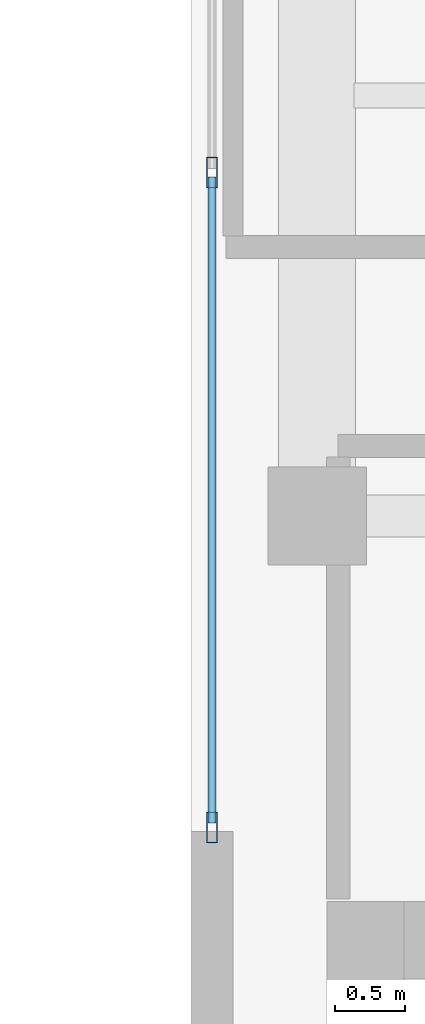
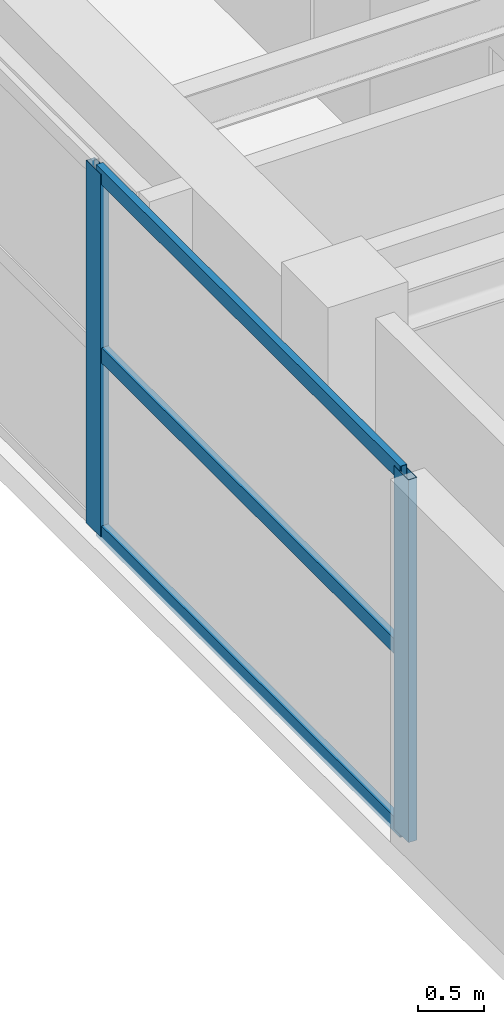
# One storey, part 10 of 24: 5 members, 1 element without a shape of its own.
"""IFC4 building model written with IfcOpenShell, lengths in metres."""

from ifc_helpers import new_model, si_unit, direction, frame, origin, origin_2d, place, context, subcontext, project, spatial, hollow_rectangle, extrude, source, transform, mapped, material, layer, layer_set, material_profile, profile_set, type_object, element, aggregate, save


model = new_model("IFC4")

# Units and contexts
model_context = context("Model", 3, precision=1e-05, world=origin(), true_north=direction((0.0, 1.0)))
body_context = subcontext(model_context, "Body", "Model", "MODEL_VIEW")
ifc_project = project(units=[si_unit("LENGTHUNIT", "METRE"), si_unit("AREAUNIT", "SQUARE_METRE"), si_unit("VOLUMEUNIT", "CUBIC_METRE"), si_unit("PLANEANGLEUNIT", "RADIAN"), si_unit("MASSUNIT", "GRAM", prefix="KILO")], contexts=[model_context])

# Site, building, storey
site_placement = place(None, origin())
site = spatial("IfcSite", under=ifc_project, at=site_placement, CompositionType="ELEMENT")
building_placement = place(site_placement, origin())
building = spatial("IfcBuilding", under=site, at=building_placement, Name="Khoralis Quay Care Tower", CompositionType="ELEMENT")
storey_placement = place(building_placement, frame((0.0, 0.0, 249.300048828125)))
storey = spatial("IfcBuildingStorey", under=building, at=storey_placement, Name="L65", CompositionType="ELEMENT", Elevation=249.300048828125)

# Curtain wall, members
ifc_material = material(Name="Pale anodised aluminium", Category="aluminium")
ifc_layer = layer(ifc_material, 0.18994140625)
ifc_layer_set = layer_set([ifc_layer], Name="Pale anodised aluminium")
curtain_wall_type = type_object("IfcCurtainWallType", Name="CW-SYS-PORTAL", PredefinedType="NOTDEFINED", material=ifc_layer_set)
curtain_wall_placement = place(storey_placement, origin())
curtain_wall = element("IfcCurtainWall", 1, at=curtain_wall_placement, inside=storey, type_object=curtain_wall_type, Name="L65 Unitised Curtain Wall CW-VP-L65-P2-N", PredefinedType="NOTDEFINED")
ifc_material_profile_1 = material_profile(ifc_material, hollow_rectangle(XDim=0.06005859375, YDim=0.139892578125, WallThickness=0.00390625, at=origin_2d()), Name="Pale anodised aluminium")
ifc_profile_set_1 = profile_set([ifc_material_profile_1], Name="Pale anodised aluminium")
member_type_1 = type_object("IfcMemberType", Name="CW-TRN-140", PredefinedType="USERDEFINED", material=ifc_profile_set_1)
shared_shape_1 = source(origin(), body_context, "Body", "SweptSolid", [
    extrude(hollow_rectangle(XDim=0.06005859375, YDim=0.139892578125, WallThickness=0.00390625, at=origin_2d()), origin(), (0.0, 0.0, 1.0), 4.60986328125),
])
member_1_placement = place(storey_placement, frame((30.14990234375, 27.81005859375, 0.030029296875), z_axis=(0.0, 1.0, 0.0), x_axis=(-1.0, 0.0, 0.0)))
member_1 = element("IfcMember", 2, at=member_1_placement, type_object=member_type_1, Name="CW4 transom 1.1", ObjectType="TRANSOM", PredefinedType="USERDEFINED", context=body_context, shape_type="MappedRepresentation", body=[
    mapped(shared_shape_1, transform((0.0, 0.0, 0.0), scale=1.0)),
])
member_2_placement = place(storey_placement, frame((30.14990234375, 27.81005859375, 1.679931640625), z_axis=(0.0, 1.0, 0.0), x_axis=(-1.0, 0.0, 0.0)))
member_2 = element("IfcMember", 3, at=member_2_placement, type_object=member_type_1, Name="CW4 transom 1.2", ObjectType="TRANSOM", PredefinedType="USERDEFINED", context=body_context, shape_type="MappedRepresentation", body=[
    mapped(shared_shape_1, transform((0.0, 0.0, 0.0), scale=1.0)),
])
member_3_placement = place(storey_placement, frame((30.14990234375, 27.81005859375, 3.329833984375), z_axis=(0.0, 1.0, 0.0), x_axis=(-1.0, 0.0, 0.0)))
member_3 = element("IfcMember", 4, at=member_3_placement, type_object=member_type_1, Name="CW4 transom 1.3", ObjectType="TRANSOM", PredefinedType="USERDEFINED", context=body_context, shape_type="MappedRepresentation", body=[
    mapped(shared_shape_1, transform((0.0, 0.0, 0.0), scale=1.0)),
])
ifc_material_profile_2 = material_profile(ifc_material, hollow_rectangle(XDim=0.074951171875, YDim=0.219970703125, WallThickness=0.00390625, at=origin_2d()), Name="Pale anodised aluminium")
ifc_profile_set_2 = profile_set([ifc_material_profile_2], Name="Pale anodised aluminium")
member_type_2 = type_object("IfcMemberType", Name="CW-MUL-220", PredefinedType="MULLION", material=ifc_profile_set_2)
shared_shape_2 = source(origin(), body_context, "Body", "SweptSolid", [
    extrude(hollow_rectangle(XDim=0.074951171875, YDim=0.219970703125, WallThickness=0.00390625, at=origin_2d()), origin(), (0.0, 0.0, 1.0), 3.35986328125),
])
member_4_placement = place(storey_placement, frame((30.14990234375, 27.780029296875, 0.0), z_axis=(0.0, 0.0, 1.0), x_axis=(-1.0, 0.0, 0.0)))
member_4 = element("IfcMember", 5, at=member_4_placement, type_object=member_type_2, Name="CW4 mullion 1", PredefinedType="MULLION", context=body_context, shape_type="MappedRepresentation", body=[
    mapped(shared_shape_2, transform((0.0, 0.0, 0.0), scale=1.0)),
])
member_5_placement = place(storey_placement, frame((30.14990234375, 32.449951171875, 0.0), z_axis=(0.0, 0.0, 1.0), x_axis=(-1.0, 0.0, 0.0)))
member_5 = element("IfcMember", 6, at=member_5_placement, type_object=member_type_2, Name="CW4 mullion 2", PredefinedType="MULLION", context=body_context, shape_type="MappedRepresentation", body=[
    mapped(shared_shape_2, transform((0.0, 0.0, 0.0), scale=1.0)),
])
aggregate(curtain_wall, [member_4, member_5, member_1, member_2, member_3])

save(model, "model.ifc")
